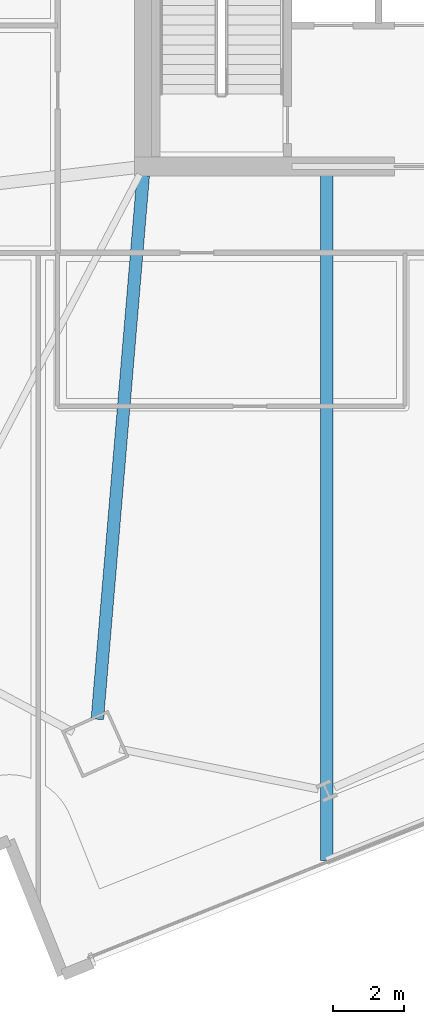
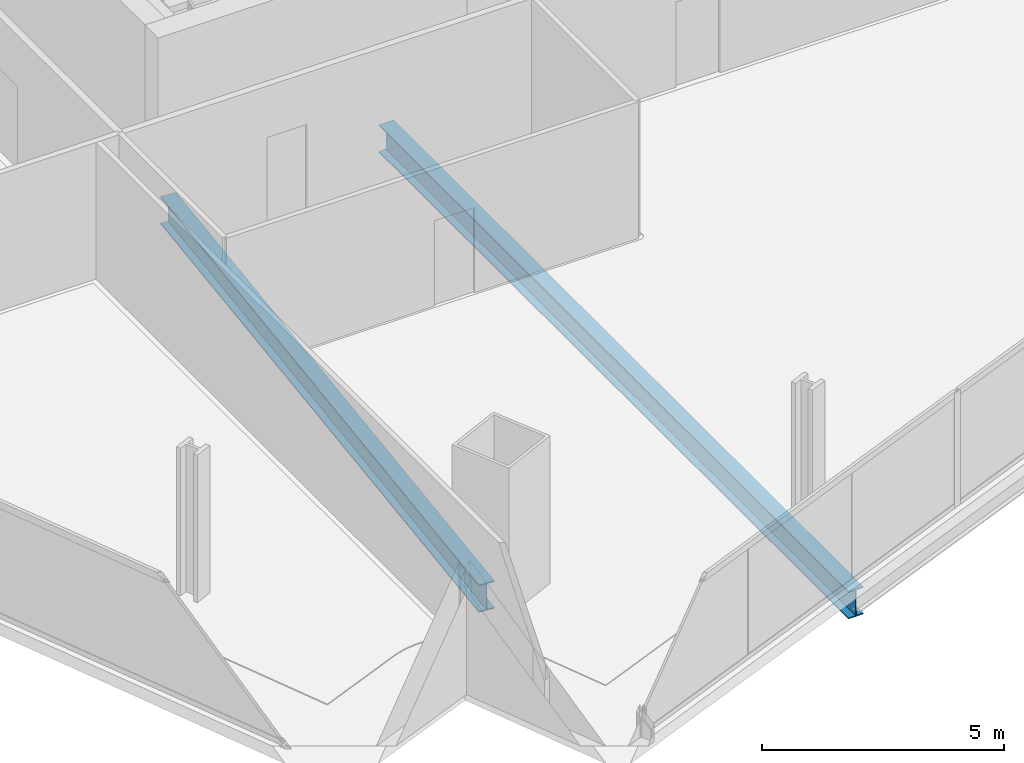
# One storey, part 4 of 33: 2 beams.
"""IFC4 building model written with IfcOpenShell, lengths in metres."""

from ifc_helpers import new_model, si_unit, direction, frame, origin, origin_2d, place, context, subcontext, project, spatial, i_section, extrude, material, material_profile, profile_set, type_object, element, save


model = new_model("IFC4")

# Units and contexts
model_context = context("Model", 3, precision=1e-05, world=origin(), true_north=direction((0.0, 1.0)))
body_context = subcontext(model_context, "Body", "Model", "MODEL_VIEW")
ifc_project = project(units=[si_unit("LENGTHUNIT", "METRE"), si_unit("AREAUNIT", "SQUARE_METRE"), si_unit("VOLUMEUNIT", "CUBIC_METRE"), si_unit("PLANEANGLEUNIT", "RADIAN"), si_unit("MASSUNIT", "GRAM", prefix="KILO")], contexts=[model_context])

# Site, building, storey
site_placement = place(None, origin())
site = spatial("IfcSite", under=ifc_project, at=site_placement, CompositionType="ELEMENT")
building_placement = place(site_placement, origin())
building = spatial("IfcBuilding", under=site, at=building_placement, Name="Haldenkirk Collegiate Tower", CompositionType="ELEMENT")
storey_placement = place(building_placement, frame((0.0, 0.0, 101.699951171875)))
storey = spatial("IfcBuildingStorey", under=building, at=storey_placement, Name="L24", CompositionType="ELEMENT", Elevation=101.699951171875)

# Beams
ifc_material = material(Name="Steel ASTM A992 Grade 50", Category="steel")
ifc_material_profile = material_profile(ifc_material, i_section(OverallWidth=0.35498046875, OverallDepth=0.696044921875, WebThickness=0.015380859375, FlangeThickness=0.02490234375, at=origin_2d()), Name="W27X146")
ifc_profile_set = profile_set([ifc_material_profile], Name="Steel ASTM A992 Grade 50")
beam_type = type_object("IfcBeamType", Name="BM-GIRDER-W27X146", PredefinedType="BEAM", material=ifc_profile_set)
beam_1_placement = place(storey_placement, frame((25.67578125, 2.3203125, -0.64794921875), z_axis=(0.084153524607, 0.996452800837, 0.0), x_axis=(-0.996452800837, 0.084153524607, 0.0)))
element("IfcBeam", 1, at=beam_1_placement, inside=storey, type_object=beam_type, Name="L24 primary floor girder 01", PredefinedType="BEAM", context=body_context, shape_type="SweptSolid", body=[
    extrude(i_section(OverallWidth=0.35498046875, OverallDepth=0.696044921875, WebThickness=0.015380859375, FlangeThickness=0.02490234375, at=origin_2d()), origin(), (0.0, 0.0, 1.0), 15.48046875),
])
beam_2_placement = place(storey_placement, frame((32.181396484375, -1.6904296875, -0.64794921875), z_axis=(0.0, 1.0, 0.0), x_axis=(-1.0, 0.0, 0.0)))
element("IfcBeam", 2, at=beam_2_placement, inside=storey, type_object=beam_type, Name="L24 primary floor girder 05", PredefinedType="BEAM", context=body_context, shape_type="SweptSolid", body=[
    extrude(i_section(OverallWidth=0.35498046875, OverallDepth=0.696044921875, WebThickness=0.015380859375, FlangeThickness=0.02490234375, at=origin_2d()), origin(), (0.0, 0.0, 1.0), 19.435546875),
])

save(model, "model.ifc")
